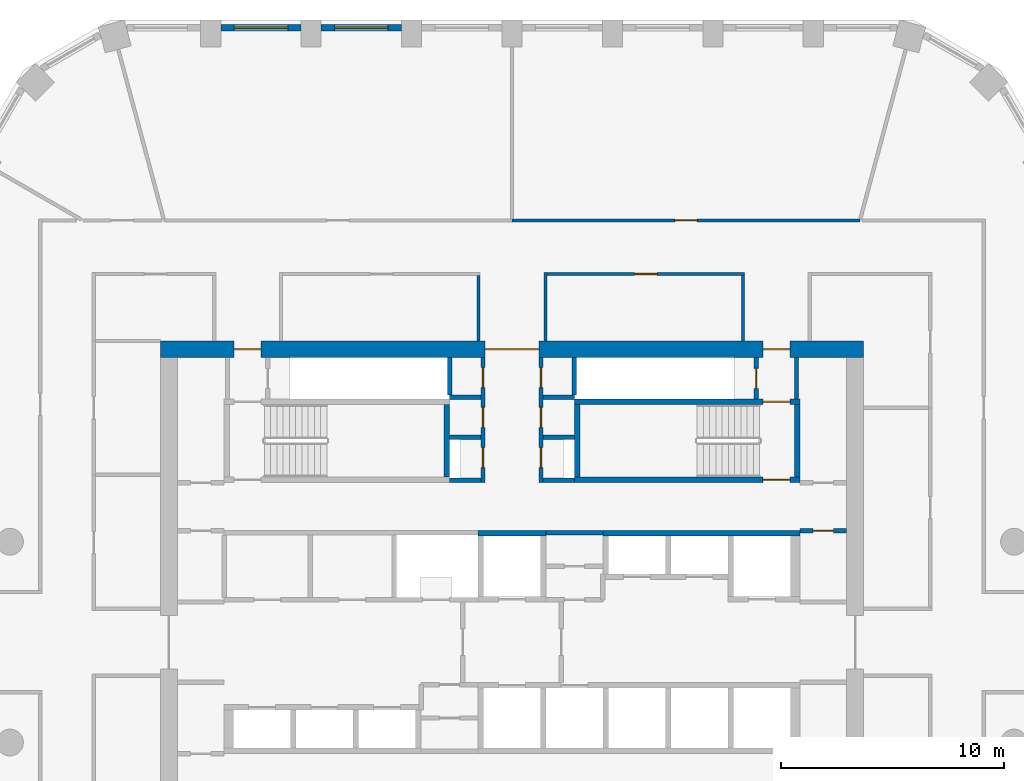
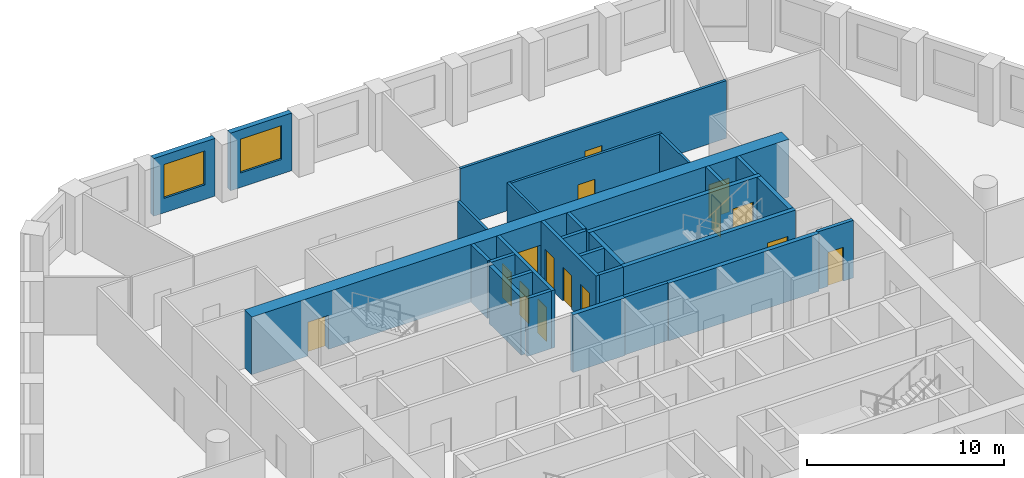
# One storey, part 7 of 10: 29 walls, 15 doors, 2 windows, 17 openings.
"""IFC4 building model written with IfcOpenShell, lengths in metres."""

from ifc_helpers import new_model, si_unit, direction, frame, frame_2d, origin, place, context, subcontext, project, spatial, polyline, rectangle, outline, extrude, material, layer, layer_set, type_object, element, fill, save


model = new_model("IFC4")

# Units and contexts
model_context = context("Model", 3, precision=1e-05, world=origin(), true_north=direction((0.0, 1.0)))
body_context = subcontext(model_context, "Body", "Model", "MODEL_VIEW")
ifc_project = project(units=[si_unit("LENGTHUNIT", "METRE"), si_unit("AREAUNIT", "SQUARE_METRE"), si_unit("VOLUMEUNIT", "CUBIC_METRE"), si_unit("PLANEANGLEUNIT", "RADIAN"), si_unit("MASSUNIT", "GRAM", prefix="KILO")], contexts=[model_context])

# Site, building, storey
site_placement = place(None, origin())
site = spatial("IfcSite", under=ifc_project, at=site_placement, CompositionType="ELEMENT")
building_placement = place(site_placement, origin())
building = spatial("IfcBuilding", under=site, at=building_placement, Name="Dhurran Vertical Campus", CompositionType="ELEMENT")
storey_placement = place(building_placement, frame((0.0, 0.0, 148.199951171875)))
storey = spatial("IfcBuildingStorey", under=building, at=storey_placement, Name="L36", CompositionType="ELEMENT", Elevation=148.199951171875)

# Wall, opening, window
ifc_material_1 = material(Name="Precast concrete C50/60", Category="concrete")
ifc_layer_1 = layer(ifc_material_1, 0.300048828125)
ifc_layer_set_1 = layer_set([ifc_layer_1], Name="Precast concrete C50/60")
wall_type_1 = type_object("IfcWallType", Name="Precast spandrel wall 300", PredefinedType="SOLIDWALL", material=ifc_layer_set_1)
wall_1_placement = place(storey_placement, frame((-4.950439453125, 27.53271484375, 0.0), z_axis=(0.0, 0.0, 1.0), x_axis=(-1.0, 0.0, 0.0)))
wall_1 = element("IfcWall", 1, at=wall_1_placement, inside=storey, type_object=wall_type_1, Name="EW1 L36.28", PredefinedType="SOLIDWALL", context=body_context, shape_type="SweptSolid", body=[
    extrude(rectangle(XDim=3.59912109375, YDim=0.300048828125, at=frame_2d((1.799560546875, 0.0))), origin(), (0.0, 0.0, 1.0), 3.574951171875),
])
opening_1_placement = place(wall_1_placement, frame((0.599609375, 0.0, 0.89990234375)))
opening_1 = element("IfcOpeningElement", 2, at=opening_1_placement, cuts=wall_1, Name="Opening WT1", PredefinedType="OPENING", context=body_context, shape_type="SweptSolid", body=[
    extrude(rectangle(XDim=2.39990234375, YDim=2.10009765625, at=frame_2d((1.199951171875, 1.050048828125))), frame((0.0, 0.159912109375, 0.0), z_axis=(0.0, -1.0, 0.0), x_axis=(1.0, 0.0, 0.0)), (0.0, 0.0, 1.0), 0.320068359375),
])
ifc_material_2 = material(Name="Aluminium frame with solar-control glass", Category="aluminium")
window_type = type_object("IfcWindowType", Name="Punched window 2400 x 2100", PartitioningType="SINGLE_PANEL", PredefinedType="WINDOW", material=ifc_material_2)
window_1_placement = place(opening_1_placement, origin())
window_1 = element("IfcWindow", 3, at=window_1_placement, inside=storey, type_object=window_type, Name="WT1 L36.28", OverallHeight=2.10009765625, OverallWidth=2.39990234375, PartitioningType="SINGLE_PANEL", PredefinedType="WINDOW", context=body_context, shape_type="SweptSolid", body=[
    extrude(rectangle(XDim=2.39990234375, YDim=2.10009765625, at=frame_2d((1.199951171875, 1.050048828125))), frame((0.0, 0.030029296875, 0.0), z_axis=(0.0, -1.0, 0.0), x_axis=(1.0, 0.0, 0.0)), (0.0, 0.0, 1.0), 0.06005859375),
])
fill(opening_1, window_1)

wall_2_placement = place(storey_placement, frame((-9.450439453125, 27.53271484375, 0.0), z_axis=(0.0, 0.0, 1.0), x_axis=(-1.0, 0.0, 0.0)))
wall_2 = element("IfcWall", 4, at=wall_2_placement, inside=storey, type_object=wall_type_1, Name="EW1 L36.29", PredefinedType="SOLIDWALL", context=body_context, shape_type="SweptSolid", body=[
    extrude(rectangle(XDim=3.59912109375, YDim=0.300048828125, at=frame_2d((1.799560546875, 0.0))), origin(), (0.0, 0.0, 1.0), 3.574951171875),
])
opening_2_placement = place(wall_2_placement, frame((0.599609375, 0.0, 0.89990234375)))
opening_2 = element("IfcOpeningElement", 5, at=opening_2_placement, cuts=wall_2, Name="Opening WT1", PredefinedType="OPENING", context=body_context, shape_type="SweptSolid", body=[
    extrude(rectangle(XDim=2.39990234375, YDim=2.10009765625, at=frame_2d((1.199951171875, 1.050048828125))), frame((0.0, 0.159912109375, 0.0), z_axis=(0.0, -1.0, 0.0), x_axis=(1.0, 0.0, 0.0)), (0.0, 0.0, 1.0), 0.320068359375),
])
window_2_placement = place(opening_2_placement, origin())
window_2 = element("IfcWindow", 6, at=window_2_placement, inside=storey, type_object=window_type, Name="WT1 L36.29", OverallHeight=2.10009765625, OverallWidth=2.39990234375, PartitioningType="SINGLE_PANEL", PredefinedType="WINDOW", context=body_context, shape_type="SweptSolid", body=[
    extrude(rectangle(XDim=2.39990234375, YDim=2.10009765625, at=frame_2d((1.199951171875, 1.050048828125))), frame((0.0, 0.030029296875, 0.0), z_axis=(0.0, -1.0, 0.0), x_axis=(1.0, 0.0, 0.0)), (0.0, 0.0, 1.0), 0.06005859375),
])
fill(opening_2, window_2)

# Wall, openings, doors
ifc_material_3 = material(Name="Concrete C60/75", Category="concrete")
ifc_layer_2 = layer(ifc_material_3, 0.75)
ifc_layer_set_2 = layer_set([ifc_layer_2], Name="Concrete C60/75")
wall_type_2 = type_object("IfcWallType", Name="co-CORE-WALL-C1-750", PredefinedType="SHEAR", material=ifc_layer_set_2)
wall_3_placement = place(storey_placement, frame((-15.75, 13.125, 0.0), z_axis=(0.0, 0.0, 1.0), x_axis=(1.0, 0.0, 0.0)))
wall_3 = element("IfcWall", 7, at=wall_3_placement, inside=storey, type_object=wall_type_2, Name="Core wall N L36", PredefinedType="SHEAR", context=body_context, shape_type="SweptSolid", body=[
    extrude(rectangle(XDim=31.5, YDim=0.75, at=frame_2d((15.75, 0.0))), origin(), (0.0, 0.0, 1.0), 3.574951171875),
])
opening_3_placement = place(wall_3_placement, frame((14.550048828125, 0.0, 0.0)))
opening_3 = element("IfcOpeningElement", 8, at=opening_3_placement, cuts=wall_3, Name="Opening CV1", PredefinedType="OPENING", context=body_context, shape_type="SweptSolid", body=[
    extrude(rectangle(XDim=2.39990234375, YDim=2.10009765625, at=frame_2d((1.199951171875, 1.050048828125))), frame((0.0, 0.385009765625, 0.0), z_axis=(0.0, -1.0, 0.0), x_axis=(1.0, 0.0, 0.0)), (0.0, 0.0, 1.0), 0.77001953125),
])
opening_4_placement = place(wall_3_placement, frame((3.300048828125, 0.0, 0.0)))
opening_4 = element("IfcOpeningElement", 9, at=opening_4_placement, cuts=wall_3, Name="Opening XD1", PredefinedType="OPENING", context=body_context, shape_type="SweptSolid", body=[
    extrude(rectangle(XDim=1.199951171875, YDim=2.10009765625, at=frame_2d((0.60009765625, 1.050048828125))), frame((0.0, 0.385009765625, 0.0), z_axis=(0.0, -1.0, 0.0), x_axis=(1.0, 0.0, 0.0)), (0.0, 0.0, 1.0), 0.77001953125),
])
opening_5_placement = place(wall_3_placement, frame((27.0, 0.0, 0.0)))
opening_5 = element("IfcOpeningElement", 10, at=opening_5_placement, cuts=wall_3, Name="Opening XD2", PredefinedType="OPENING", context=body_context, shape_type="SweptSolid", body=[
    extrude(rectangle(XDim=1.199951171875, YDim=2.10009765625, at=frame_2d((0.60009765625, 1.050048828125))), frame((0.0, 0.385009765625, 0.0), z_axis=(0.0, -1.0, 0.0), x_axis=(1.0, 0.0, 0.0)), (0.0, 0.0, 1.0), 0.77001953125),
])
ifc_material_4 = material(Name="Fire-rated glazed door set")
door_type_1 = type_object("IfcDoorType", Name="co-D-LOBBY 2400x2100", OperationType="DOUBLE_DOOR_DOUBLE_SWING", PredefinedType="DOOR", material=ifc_material_4)
door_1_placement = place(opening_3_placement, origin())
door_1 = element("IfcDoor", 11, at=door_1_placement, inside=storey, type_object=door_type_1, Name="Core vestibule door N L36", OperationType="DOUBLE_DOOR_DOUBLE_SWING", OverallHeight=2.10009765625, OverallWidth=2.39990234375, PredefinedType="DOOR", context=body_context, shape_type="SweptSolid", body=[
    extrude(rectangle(XDim=2.39990234375, YDim=2.10009765625, at=frame_2d((1.199951171875, 1.050048828125))), frame((0.0, 0.02490234375, 0.0), z_axis=(0.0, -1.0, 0.0), x_axis=(1.0, 0.0, 0.0)), (0.0, 0.0, 1.0), 0.050048828125),
])
fill(opening_3, door_1)
ifc_material_5 = material(Name="Fire-rated steel door set", Category="steel")
door_type_2 = type_object("IfcDoorType", Name="co-D-STAIR-EXIT 1200x2100", OperationType="SINGLE_SWING_RIGHT", PredefinedType="DOOR", material=ifc_material_5)
door_2_placement = place(opening_4_placement, origin())
door_2 = element("IfcDoor", 12, at=door_2_placement, inside=storey, type_object=door_type_2, Name="Stair ST1 exit door L36", OperationType="SINGLE_SWING_RIGHT", OverallHeight=2.10009765625, OverallWidth=1.199951171875, PredefinedType="DOOR", context=body_context, shape_type="SweptSolid", body=[
    extrude(rectangle(XDim=1.199951171875, YDim=2.10009765625, at=frame_2d((0.60009765625, 1.050048828125))), frame((0.0, 0.02490234375, 0.0), z_axis=(0.0, -1.0, 0.0), x_axis=(1.0, 0.0, 0.0)), (0.0, 0.0, 1.0), 0.050048828125),
])
fill(opening_4, door_2)
door_3_placement = place(opening_5_placement, origin())
door_3 = element("IfcDoor", 13, at=door_3_placement, inside=storey, type_object=door_type_2, Name="Stair ST2 exit door L36", OperationType="SINGLE_SWING_RIGHT", OverallHeight=2.10009765625, OverallWidth=1.199951171875, PredefinedType="DOOR", context=body_context, shape_type="SweptSolid", body=[
    extrude(rectangle(XDim=1.199951171875, YDim=2.10009765625, at=frame_2d((0.60009765625, 1.050048828125))), frame((0.0, 0.02490234375, 0.0), z_axis=(0.0, -1.0, 0.0), x_axis=(1.0, 0.0, 0.0)), (0.0, 0.0, 1.0), 0.050048828125),
])
fill(opening_5, door_3)

# Walls
ifc_material_6 = material(Name="Fire-rated masonry blockwork", Category="masonry")
ifc_layer_3 = layer(ifc_material_6, 0.199951171875)
ifc_layer_set_3 = layer_set([ifc_layer_3], Name="Fire-rated masonry blockwork")
wall_type_3 = type_object("IfcWallType", Name="co-FIRE-PARTITION-200", PredefinedType="PARTITIONING", material=ifc_layer_set_3)
for number, where, z_axis, x_axis, name in (
    (14, (-2.800048828125, 7.25, 0.0), (0.0, 0.0, 1.0), (1.0, 0.0, 0.0), "Core partition sl-NW-S L36"),
    (15, (-2.800048828125, 9.18603515625, 0.0), (0.0, 0.0, 1.0), (1.0, 0.0, 0.0), "Core partition sl-NW-cut0 L36"),
    (16, (-2.800048828125, 10.968017578125, 0.0), (0.0, 0.0, 1.0), (1.0, 0.0, 0.0), "Core partition sl-NW-cut1 L36"),
    (17, (1.39990234375, 7.25, 0.0), (0.0, 0.0, 1.0), (1.0, 0.0, 0.0), "Core partition sl-NE-S L36"),
    (18, (1.39990234375, 9.18603515625, 0.0), (0.0, 0.0, 1.0), (1.0, 0.0, 0.0), "Core partition sl-NE-cut0 L36"),
    (19, (1.39990234375, 10.968017578125, 0.0), (0.0, 0.0, 1.0), (1.0, 0.0, 0.0), "Core partition sl-NE-cut1 L36"),
):
    element("IfcWall", number, at=place(storey_placement, frame(where, z_axis=z_axis, x_axis=x_axis)), inside=storey, type_object=wall_type_3, Name=name, PredefinedType="PARTITIONING", context=body_context, shape_type="SweptSolid", body=[
        extrude(rectangle(XDim=1.400146484375, YDim=0.199951171875, at=frame_2d((0.7001953125, 0.0))), origin(), (0.0, 0.0, 1.0), 3.574951171875),
    ])

# Wall, openings, doors
wall_4_placement = place(storey_placement, frame((-1.300048828125, 7.14990234375, 0.0), z_axis=(0.0, 0.0, 1.0), x_axis=(0.0, 1.0, 0.0)))
wall_4 = element("IfcWall", 20, at=wall_4_placement, inside=storey, type_object=wall_type_3, Name="Core partition vest-NW L36", PredefinedType="PARTITIONING", context=body_context, shape_type="SweptSolid", body=[
    extrude(rectangle(XDim=5.60009765625, YDim=0.199951171875, at=frame_2d((2.800048828125, 0.0))), origin(), (0.0, 0.0, 1.0), 3.574951171875),
])
opening_6_placement = place(wall_4_placement, frame((0.66796875, 0.0, 0.0)))
opening_6 = element("IfcOpeningElement", 21, at=opening_6_placement, cuts=wall_4, Name="Opening T10-C5", PredefinedType="OPENING", context=body_context, shape_type="SweptSolid", body=[
    extrude(rectangle(XDim=0.89990234375, YDim=2.10009765625, at=frame_2d((0.449951171875, 1.050048828125))), frame((0.0, 0.10986328125, 0.0), z_axis=(0.0, -1.0, 0.0), x_axis=(1.0, 0.0, 0.0)), (0.0, 0.0, 1.0), 0.219970703125),
])
opening_7_placement = place(wall_4_placement, frame((2.47705078125, 0.0, 0.0)))
opening_7 = element("IfcOpeningElement", 22, at=opening_7_placement, cuts=wall_4, Name="Opening T10-C6", PredefinedType="OPENING", context=body_context, shape_type="SweptSolid", body=[
    extrude(rectangle(XDim=0.89990234375, YDim=2.10009765625, at=frame_2d((0.449951171875, 1.050048828125))), frame((0.0, 0.10986328125, 0.0), z_axis=(0.0, -1.0, 0.0), x_axis=(1.0, 0.0, 0.0)), (0.0, 0.0, 1.0), 0.219970703125),
])
opening_8_placement = place(wall_4_placement, frame((4.259033203125, 0.0, 0.0)))
opening_8 = element("IfcOpeningElement", 23, at=opening_8_placement, cuts=wall_4, Name="Opening T10-C7", PredefinedType="OPENING", context=body_context, shape_type="SweptSolid", body=[
    extrude(rectangle(XDim=0.89990234375, YDim=2.10009765625, at=frame_2d((0.449951171875, 1.050048828125))), frame((0.0, 0.10986328125, 0.0), z_axis=(0.0, -1.0, 0.0), x_axis=(1.0, 0.0, 0.0)), (0.0, 0.0, 1.0), 0.219970703125),
])
ifc_material_7 = material(Name="Fire-rated timber door set", Category="wood")
door_type_3 = type_object("IfcDoorType", Name="co-D-ROOM 900x2100", OperationType="SINGLE_SWING_LEFT", PredefinedType="DOOR", material=ifc_material_7)
door_4_placement = place(opening_6_placement, origin())
door_4 = element("IfcDoor", 24, at=door_4_placement, inside=storey, type_object=door_type_3, Name="Electrical riser door L36", OperationType="SINGLE_SWING_LEFT", OverallHeight=2.10009765625, OverallWidth=0.89990234375, PredefinedType="DOOR", context=body_context, shape_type="SweptSolid", body=[
    extrude(rectangle(XDim=0.89990234375, YDim=2.10009765625, at=frame_2d((0.449951171875, 1.050048828125))), frame((0.0, 0.02490234375, 0.0), z_axis=(0.0, -1.0, 0.0), x_axis=(1.0, 0.0, 0.0)), (0.0, 0.0, 1.0), 0.050048828125),
])
fill(opening_6, door_4)
door_5_placement = place(opening_7_placement, origin())
door_5 = element("IfcDoor", 25, at=door_5_placement, inside=storey, type_object=door_type_3, Name="Waste room door L36", OperationType="SINGLE_SWING_LEFT", OverallHeight=2.10009765625, OverallWidth=0.89990234375, PredefinedType="DOOR", context=body_context, shape_type="SweptSolid", body=[
    extrude(rectangle(XDim=0.89990234375, YDim=2.10009765625, at=frame_2d((0.449951171875, 1.050048828125))), frame((0.0, 0.02490234375, 0.0), z_axis=(0.0, -1.0, 0.0), x_axis=(1.0, 0.0, 0.0)), (0.0, 0.0, 1.0), 0.050048828125),
])
fill(opening_7, door_5)
door_6_placement = place(opening_8_placement, origin())
door_6 = element("IfcDoor", 26, at=door_6_placement, inside=storey, type_object=door_type_3, Name="Server room door L36", OperationType="SINGLE_SWING_LEFT", OverallHeight=2.10009765625, OverallWidth=0.89990234375, PredefinedType="DOOR", context=body_context, shape_type="SweptSolid", body=[
    extrude(rectangle(XDim=0.89990234375, YDim=2.10009765625, at=frame_2d((0.449951171875, 1.050048828125))), frame((0.0, 0.02490234375, 0.0), z_axis=(0.0, -1.0, 0.0), x_axis=(1.0, 0.0, 0.0)), (0.0, 0.0, 1.0), 0.050048828125),
])
fill(opening_8, door_6)

wall_5_placement = place(storey_placement, frame((1.300048828125, 7.14990234375, 0.0), z_axis=(0.0, 0.0, 1.0), x_axis=(0.0, 1.0, 0.0)))
wall_5 = element("IfcWall", 27, at=wall_5_placement, inside=storey, type_object=wall_type_3, Name="Core partition vest-NE L36", PredefinedType="PARTITIONING", context=body_context, shape_type="SweptSolid", body=[
    extrude(rectangle(XDim=5.60009765625, YDim=0.199951171875, at=frame_2d((2.800048828125, 0.0))), origin(), (0.0, 0.0, 1.0), 3.574951171875),
])
opening_9_placement = place(wall_5_placement, frame((0.66796875, 0.0, 0.0)))
opening_9 = element("IfcOpeningElement", 28, at=opening_9_placement, cuts=wall_5, Name="Opening T10-C8", PredefinedType="OPENING", context=body_context, shape_type="SweptSolid", body=[
    extrude(rectangle(XDim=0.89990234375, YDim=2.10009765625, at=frame_2d((0.449951171875, 1.050048828125))), frame((0.0, 0.10986328125, 0.0), z_axis=(0.0, -1.0, 0.0), x_axis=(1.0, 0.0, 0.0)), (0.0, 0.0, 1.0), 0.219970703125),
])
opening_10_placement = place(wall_5_placement, frame((2.47705078125, 0.0, 0.0)))
opening_10 = element("IfcOpeningElement", 29, at=opening_10_placement, cuts=wall_5, Name="Opening T10-C9", PredefinedType="OPENING", context=body_context, shape_type="SweptSolid", body=[
    extrude(rectangle(XDim=0.89990234375, YDim=2.10009765625, at=frame_2d((0.449951171875, 1.050048828125))), frame((0.0, 0.10986328125, 0.0), z_axis=(0.0, -1.0, 0.0), x_axis=(1.0, 0.0, 0.0)), (0.0, 0.0, 1.0), 0.219970703125),
])
opening_11_placement = place(wall_5_placement, frame((4.259033203125, 0.0, 0.0)))
opening_11 = element("IfcOpeningElement", 30, at=opening_11_placement, cuts=wall_5, Name="Opening T10-C10", PredefinedType="OPENING", context=body_context, shape_type="SweptSolid", body=[
    extrude(rectangle(XDim=0.89990234375, YDim=2.10009765625, at=frame_2d((0.449951171875, 1.050048828125))), frame((0.0, 0.10986328125, 0.0), z_axis=(0.0, -1.0, 0.0), x_axis=(1.0, 0.0, 0.0)), (0.0, 0.0, 1.0), 0.219970703125),
])
door_7_placement = place(opening_9_placement, origin())
door_7 = element("IfcDoor", 31, at=door_7_placement, inside=storey, type_object=door_type_3, Name="Water riser door L36", OperationType="SINGLE_SWING_LEFT", OverallHeight=2.10009765625, OverallWidth=0.89990234375, PredefinedType="DOOR", context=body_context, shape_type="SweptSolid", body=[
    extrude(rectangle(XDim=0.89990234375, YDim=2.10009765625, at=frame_2d((0.449951171875, 1.050048828125))), frame((0.0, 0.02490234375, 0.0), z_axis=(0.0, -1.0, 0.0), x_axis=(1.0, 0.0, 0.0)), (0.0, 0.0, 1.0), 0.050048828125),
])
fill(opening_9, door_7)
door_8_placement = place(opening_10_placement, origin())
door_8 = element("IfcDoor", 32, at=door_8_placement, inside=storey, type_object=door_type_3, Name="Fire equipment store door L36", OperationType="SINGLE_SWING_LEFT", OverallHeight=2.10009765625, OverallWidth=0.89990234375, PredefinedType="DOOR", context=body_context, shape_type="SweptSolid", body=[
    extrude(rectangle(XDim=0.89990234375, YDim=2.10009765625, at=frame_2d((0.449951171875, 1.050048828125))), frame((0.0, 0.02490234375, 0.0), z_axis=(0.0, -1.0, 0.0), x_axis=(1.0, 0.0, 0.0)), (0.0, 0.0, 1.0), 0.050048828125),
])
fill(opening_10, door_8)
door_9_placement = place(opening_11_placement, origin())
door_9 = element("IfcDoor", 33, at=door_9_placement, inside=storey, type_object=door_type_3, Name="Pantry door L36", OperationType="SINGLE_SWING_LEFT", OverallHeight=2.10009765625, OverallWidth=0.89990234375, PredefinedType="DOOR", context=body_context, shape_type="SweptSolid", body=[
    extrude(rectangle(XDim=0.89990234375, YDim=2.10009765625, at=frame_2d((0.449951171875, 1.050048828125))), frame((0.0, 0.02490234375, 0.0), z_axis=(0.0, -1.0, 0.0), x_axis=(1.0, 0.0, 0.0)), (0.0, 0.0, 1.0), 0.050048828125),
])
fill(opening_11, door_9)

# Wall
wall_6_placement = place(storey_placement, frame((12.75, 10.89990234375, 0.0), z_axis=(0.0, 0.0, 1.0), x_axis=(0.0, 1.0, 0.0)))
element("IfcWall", 34, at=wall_6_placement, inside=storey, type_object=wall_type_3, Name="Core partition pass-ST2-o L36", PredefinedType="PARTITIONING", context=body_context, shape_type="SweptSolid", body=[
    extrude(rectangle(XDim=1.85009765625, YDim=0.199951171875, at=frame_2d((0.925048828125, 0.0))), origin(), (0.0, 0.0, 1.0), 3.574951171875),
])

# Wall, opening, door
wall_7_placement = place(storey_placement, frame((10.949951171875, 10.89990234375, 0.0), z_axis=(0.0, 0.0, 1.0), x_axis=(0.0, 1.0, 0.0)))
wall_7 = element("IfcWall", 35, at=wall_7_placement, inside=storey, type_object=wall_type_3, Name="Core partition pass-ST2-i L36", PredefinedType="PARTITIONING", context=body_context, shape_type="SweptSolid", body=[
    extrude(rectangle(XDim=1.85009765625, YDim=0.199951171875, at=frame_2d((0.925048828125, 0.0))), origin(), (0.0, 0.0, 1.0), 3.574951171875),
])
opening_12_placement = place(wall_7_placement, frame((0.47509765625, 0.0, 0.0)))
opening_12 = element("IfcOpeningElement", 36, at=opening_12_placement, cuts=wall_7, Name="Opening T10-C12", PredefinedType="OPENING", context=body_context, shape_type="SweptSolid", body=[
    extrude(rectangle(XDim=0.89990234375, YDim=2.10009765625, at=frame_2d((0.449951171875, 1.050048828125))), frame((0.0, 0.10986328125, 0.0), z_axis=(0.0, -1.0, 0.0), x_axis=(1.0, 0.0, 0.0)), (0.0, 0.0, 1.0), 0.219970703125),
])
door_10_placement = place(opening_12_placement, origin())
door_10 = element("IfcDoor", 37, at=door_10_placement, inside=storey, type_object=door_type_3, Name="Riser room door L36", OperationType="SINGLE_SWING_LEFT", OverallHeight=2.10009765625, OverallWidth=0.89990234375, PredefinedType="DOOR", context=body_context, shape_type="SweptSolid", body=[
    extrude(rectangle(XDim=0.89990234375, YDim=2.10009765625, at=frame_2d((0.449951171875, 1.050048828125))), frame((0.0, 0.02490234375, 0.0), z_axis=(0.0, -1.0, 0.0), x_axis=(1.0, 0.0, 0.0)), (0.0, 0.0, 1.0), 0.050048828125),
])
fill(opening_12, door_10)

wall_8_placement = place(storey_placement, frame((12.89990234375, 5.0, 0.0), z_axis=(0.0, 0.0, 1.0), x_axis=(1.0, 0.0, 0.0)))
wall_8 = element("IfcWall", 38, at=wall_8_placement, inside=storey, type_object=wall_type_3, Name="Core partition es-NE-w L36", PredefinedType="PARTITIONING", context=body_context, shape_type="SweptSolid", body=[
    extrude(rectangle(XDim=2.10009765625, YDim=0.199951171875, at=frame_2d((1.050048828125, 0.0))), origin(), (0.0, 0.0, 1.0), 3.574951171875),
])
opening_13_placement = place(wall_8_placement, frame((0.60009765625, 0.0, 0.0)))
opening_13 = element("IfcOpeningElement", 39, at=opening_13_placement, cuts=wall_8, Name="Opening T10-C18", PredefinedType="OPENING", context=body_context, shape_type="SweptSolid", body=[
    extrude(rectangle(XDim=0.89990234375, YDim=2.10009765625, at=frame_2d((0.449951171875, 1.050048828125))), frame((0.0, 0.10986328125, 0.0), z_axis=(0.0, -1.0, 0.0), x_axis=(1.0, 0.0, 0.0)), (0.0, 0.0, 1.0), 0.219970703125),
])
door_11_placement = place(opening_13_placement, origin())
door_11 = element("IfcDoor", 40, at=door_11_placement, inside=storey, type_object=door_type_3, Name="Pantry door L36", OperationType="SINGLE_SWING_LEFT", OverallHeight=2.10009765625, OverallWidth=0.89990234375, PredefinedType="DOOR", context=body_context, shape_type="SweptSolid", body=[
    extrude(rectangle(XDim=0.89990234375, YDim=2.10009765625, at=frame_2d((0.449951171875, 1.050048828125))), frame((0.0, 0.02490234375, 0.0), z_axis=(0.0, -1.0, 0.0), x_axis=(1.0, 0.0, 0.0)), (0.0, 0.0, 1.0), 0.050048828125),
])
fill(opening_13, door_11)

# Walls
wall_9_placement = place(storey_placement, frame((1.52490234375, 4.89990234375, 0.0), z_axis=(0.0, 0.0, 1.0), x_axis=(1.0, 0.0, 0.0)))
element("IfcWall", 41, at=wall_9_placement, inside=storey, type_object=wall_type_3, Name="Core partition fr-N1-b L36", PredefinedType="PARTITIONING", context=body_context, shape_type="SweptSolid", body=[
    extrude(rectangle(XDim=2.550048828125, YDim=0.199951171875, at=frame_2d((1.27490234375, 0.0))), origin(), (0.0, 0.0, 1.0), 3.574951171875),
])
for number, where, z_axis, x_axis, name in (
    (42, (-2.800048828125, 11.069091796875, 0.0), (0.0, 0.0, 1.0), (0.0, 1.0, 0.0), "Riser enclosure wall L36"),
    (43, (2.800048828125, 12.7490234375, 0.0), (0.0, 0.0, 1.0), (0.0, -1.0, 0.0), "Riser enclosure wall L36"),
):
    element("IfcWall", number, at=place(storey_placement, frame(where, z_axis=z_axis, x_axis=x_axis)), inside=storey, type_object=wall_type_3, Name=name, PredefinedType="PARTITIONING", context=body_context, shape_type="SweptSolid", body=[
        extrude(rectangle(XDim=1.679931640625, YDim=0.199951171875, at=frame_2d((0.83984375, 0.0))), origin(), (0.0, 0.0, 1.0), 3.574951171875),
    ])
ifc_material_8 = material(Name="Concrete C50/60", Category="concrete")
ifc_layer_4 = layer(ifc_material_8, 0.25)
ifc_layer_set_4 = layer_set([ifc_layer_4], Name="Concrete C50/60")
wall_type_4 = type_object("IfcWallType", Name="co-SHAFT-MASS-250", PredefinedType="SHEAR", material=ifc_layer_set_4)
wall_10_placement = place(storey_placement, origin())
element("IfcWall", 44, at=wall_10_placement, inside=storey, type_object=wall_type_4, Name="Lift shaft wall N L36 1", PredefinedType="SHEAR", context=body_context, shape_type="SweptSolid", body=[
    extrude(outline(polyline([(-1.52490234375, 4.75), (1.52490234375, 4.75), (1.52490234375, 5.0), (-1.52490234375, 5.0), (-1.52490234375, 4.75)])), origin(), (0.0, 0.0, 1.0), 3.574951171875),
])
wall_11_placement = place(storey_placement, origin())
element("IfcWall", 45, at=wall_11_placement, inside=storey, type_object=wall_type_4, Name="Lift shaft wall N L36 2", PredefinedType="SHEAR", context=body_context, shape_type="SweptSolid", body=[
    extrude(outline(polyline([(4.074951171875, 4.75), (12.89990234375, 4.75), (12.89990234375, 5.0), (4.074951171875, 5.0), (4.074951171875, 4.75)])), origin(), (0.0, 0.0, 1.0), 3.574951171875),
])
ifc_material_9 = material(Name="Concrete C40/50", Category="concrete")
ifc_layer_5 = layer(ifc_material_9, 0.25)
ifc_layer_set_5 = layer_set([ifc_layer_5], Name="Concrete C40/50")
wall_type_5 = type_object("IfcWallType", Name="co-STAIR-WALL-250", PredefinedType="SHEAR", material=ifc_layer_set_5)
wall_12_placement = place(storey_placement, frame((-2.925048828125, 7.39990234375, 0.0), z_axis=(0.0, 0.0, 1.0), x_axis=(0.0, 1.0, 0.0)))
element("IfcWall", 46, at=wall_12_placement, inside=storey, type_object=wall_type_5, Name="Stair ST1 enclosure wall L36", PredefinedType="SHEAR", context=body_context, shape_type="SweptSolid", body=[
    extrude(rectangle(XDim=3.25, YDim=0.25, at=frame_2d((1.625, 0.0))), origin(), (0.0, 0.0, 1.0), 3.574951171875),
])

# Wall, opening, door
wall_13_placement = place(storey_placement, frame((2.800048828125, 7.27490234375, 0.0), z_axis=(0.0, 0.0, 1.0), x_axis=(1.0, 0.0, 0.0)))
wall_13 = element("IfcWall", 47, at=wall_13_placement, inside=storey, type_object=wall_type_5, Name="Stair ST2 enclosure wall L36", PredefinedType="SHEAR", context=body_context, shape_type="SweptSolid", body=[
    extrude(rectangle(XDim=10.099853515625, YDim=0.25, at=frame_2d((5.0498046875, 0.0))), origin(), (0.0, 0.0, 1.0), 3.574951171875),
])
opening_14_placement = place(wall_13_placement, frame((8.449951171875, 0.0, 0.0)))
opening_14 = element("IfcOpeningElement", 48, at=opening_14_placement, cuts=wall_13, Name="Opening SD2", PredefinedType="OPENING", context=body_context, shape_type="SweptSolid", body=[
    extrude(rectangle(XDim=1.199951171875, YDim=2.10009765625, at=frame_2d((0.60009765625, 1.050048828125))), frame((0.0, 0.135009765625, 0.0), z_axis=(0.0, -1.0, 0.0), x_axis=(1.0, 0.0, 0.0)), (0.0, 0.0, 1.0), 0.27001953125),
])
ifc_material_10 = material(Name="Fire-rated steel door set", Category="steel")
door_type_4 = type_object("IfcDoorType", Name="co-D-STAIR 1200x2100", OperationType="SINGLE_SWING_LEFT", PredefinedType="DOOR", material=ifc_material_10)
door_12_placement = place(opening_14_placement, origin())
door_12 = element("IfcDoor", 49, at=door_12_placement, inside=storey, type_object=door_type_4, Name="Stair ST2 door L36", OperationType="SINGLE_SWING_LEFT", OverallHeight=2.10009765625, OverallWidth=1.199951171875, PredefinedType="DOOR", context=body_context, shape_type="SweptSolid", body=[
    extrude(rectangle(XDim=1.199951171875, YDim=2.10009765625, at=frame_2d((0.60009765625, 1.050048828125))), frame((0.0, 0.02490234375, 0.0), z_axis=(0.0, -1.0, 0.0), x_axis=(1.0, 0.0, 0.0)), (0.0, 0.0, 1.0), 0.050048828125),
])
fill(opening_14, door_12)

wall_14_placement = place(storey_placement, frame((2.800048828125, 10.77490234375, 0.0), z_axis=(0.0, 0.0, 1.0), x_axis=(1.0, 0.0, 0.0)))
wall_14 = element("IfcWall", 50, at=wall_14_placement, inside=storey, type_object=wall_type_5, Name="Stair ST2 enclosure wall L36", PredefinedType="SHEAR", context=body_context, shape_type="SweptSolid", body=[
    extrude(rectangle(XDim=10.099853515625, YDim=0.25, at=frame_2d((5.0498046875, 0.0))), origin(), (0.0, 0.0, 1.0), 3.574951171875),
])
opening_15_placement = place(wall_14_placement, frame((8.449951171875, 0.0, 0.0)))
opening_15 = element("IfcOpeningElement", 51, at=opening_15_placement, cuts=wall_14, Name="Opening XS2", PredefinedType="OPENING", context=body_context, shape_type="SweptSolid", body=[
    extrude(rectangle(XDim=1.199951171875, YDim=2.10009765625, at=frame_2d((0.60009765625, 1.050048828125))), frame((0.0, 0.135009765625, 0.0), z_axis=(0.0, -1.0, 0.0), x_axis=(1.0, 0.0, 0.0)), (0.0, 0.0, 1.0), 0.27001953125),
])
door_13_placement = place(opening_15_placement, origin())
door_13 = element("IfcDoor", 52, at=door_13_placement, inside=storey, type_object=door_type_2, Name="Stair ST2 discharge door L36", OperationType="SINGLE_SWING_RIGHT", OverallHeight=2.10009765625, OverallWidth=1.199951171875, PredefinedType="DOOR", context=body_context, shape_type="SweptSolid", body=[
    extrude(rectangle(XDim=1.199951171875, YDim=2.10009765625, at=frame_2d((0.60009765625, 1.050048828125))), frame((0.0, 0.02490234375, 0.0), z_axis=(0.0, -1.0, 0.0), x_axis=(1.0, 0.0, 0.0)), (0.0, 0.0, 1.0), 0.050048828125),
])
fill(opening_15, door_13)

# Walls
for number, where, z_axis, x_axis, name in (
    (53, (2.925048828125, 7.39990234375, 0.0), (0.0, 0.0, 1.0), (0.0, 1.0, 0.0), "Stair ST2 enclosure wall L36"),
    (54, (12.77490234375, 7.39990234375, 0.0), (0.0, 0.0, 1.0), (0.0, 1.0, 0.0), "Stair ST2 enclosure wall L36"),
):
    element("IfcWall", number, at=place(storey_placement, frame(where, z_axis=z_axis, x_axis=x_axis)), inside=storey, type_object=wall_type_5, Name=name, PredefinedType="SHEAR", context=body_context, shape_type="SweptSolid", body=[
        extrude(rectangle(XDim=3.25, YDim=0.25, at=frame_2d((1.625, 0.0))), origin(), (0.0, 0.0, 1.0), 3.574951171875),
    ])
ifc_material_11 = material(Name="Gypsum board corridor wall on steel studs", Category="steel")
ifc_layer_6 = layer(ifc_material_11, 0.14990234375)
ifc_layer_set_6 = layer_set([ifc_layer_6], Name="Gypsum board corridor wall on steel studs")
wall_type_6 = type_object("IfcWallType", Name="fl-CW-150 corridor wall", PredefinedType="PARTITIONING", material=ifc_layer_set_6)
wall_15_placement = place(storey_placement, frame((-1.5, 16.425048828125, 0.0), z_axis=(0.0, 0.0, 1.0), x_axis=(0.0, -1.0, 0.0)))
element("IfcWall", 55, at=wall_15_placement, inside=storey, type_object=wall_type_6, Name="Partition 36-34", PredefinedType="PARTITIONING", context=body_context, shape_type="SweptSolid", body=[
    extrude(rectangle(XDim=2.925048828125, YDim=0.14990234375, at=frame_2d((1.46240234375, 0.0))), origin(), (0.0, 0.0, 1.0), 3.574951171875),
])

# Wall, opening, door
wall_16_placement = place(storey_placement, frame((15.593017578125, 18.89990234375, 0.0), z_axis=(0.0, 0.0, 1.0), x_axis=(-1.0, 0.0, 0.0)))
wall_16 = element("IfcWall", 56, at=wall_16_placement, inside=storey, type_object=wall_type_6, Name="Partition 36-36", PredefinedType="PARTITIONING", context=body_context, shape_type="SweptSolid", body=[
    extrude(rectangle(XDim=15.593017578125, YDim=0.14990234375, at=frame_2d((7.79638671875, 0.0))), origin(), (0.0, 0.0, 1.0), 3.574951171875),
])
opening_16_placement = place(wall_16_placement, frame((7.29638671875, 0.0, 0.0)))
opening_16 = element("IfcOpeningElement", 57, at=opening_16_placement, cuts=wall_16, Name="Opening T10.16", PredefinedType="OPENING", context=body_context, shape_type="SweptSolid", body=[
    extrude(rectangle(XDim=1.0, YDim=2.10009765625, at=frame_2d((0.5, 1.050048828125))), frame((0.0, 0.0849609375, 0.0), z_axis=(0.0, -1.0, 0.0), x_axis=(1.0, 0.0, 0.0)), (0.0, 0.0, 1.0), 0.169921875),
])
ifc_material_12 = material(Name="Solid-core timber door set, fire-rated", Category="wood")
door_type_5 = type_object("IfcDoorType", Name="fl-D-1000x2100", OperationType="SINGLE_SWING_LEFT", PredefinedType="DOOR", material=ifc_material_12)
door_14_placement = place(opening_16_placement, origin())
door_14 = element("IfcDoor", 58, at=door_14_placement, inside=storey, type_object=door_type_5, Name="Door 36.16", OperationType="SINGLE_SWING_RIGHT", OverallHeight=2.10009765625, OverallWidth=1.0, PredefinedType="DOOR", context=body_context, shape_type="SweptSolid", body=[
    extrude(rectangle(XDim=1.0, YDim=2.10009765625, at=frame_2d((0.5, 1.050048828125))), frame((0.0, 0.02490234375, 0.0), z_axis=(0.0, -1.0, 0.0), x_axis=(1.0, 0.0, 0.0)), (0.0, 0.0, 1.0), 0.050048828125),
])
fill(opening_16, door_14)

# Wall
wall_17_placement = place(storey_placement, frame((1.5, 13.5, 0.0), z_axis=(0.0, 0.0, 1.0), x_axis=(0.0, 1.0, 0.0)))
element("IfcWall", 59, at=wall_17_placement, inside=storey, type_object=wall_type_6, Name="Partition 36-39", PredefinedType="PARTITIONING", context=body_context, shape_type="SweptSolid", body=[
    extrude(rectangle(XDim=3.074951171875, YDim=0.14990234375, at=frame_2d((1.53759765625, 0.0))), origin(), (0.0, 0.0, 1.0), 3.574951171875),
])

# Wall, opening, door
wall_18_placement = place(storey_placement, frame((1.574951171875, 16.5, 0.0), z_axis=(0.0, 0.0, 1.0), x_axis=(1.0, 0.0, 0.0)))
wall_18 = element("IfcWall", 60, at=wall_18_placement, inside=storey, type_object=wall_type_6, Name="Partition 36-40", PredefinedType="PARTITIONING", context=body_context, shape_type="SweptSolid", body=[
    extrude(rectangle(XDim=8.85009765625, YDim=0.14990234375, at=frame_2d((4.425048828125, 0.0))), origin(), (0.0, 0.0, 1.0), 3.574951171875),
])
opening_17_placement = place(wall_18_placement, frame((3.925048828125, 0.0, 0.0)))
opening_17 = element("IfcOpeningElement", 61, at=opening_17_placement, cuts=wall_18, Name="Opening T10.15", PredefinedType="OPENING", context=body_context, shape_type="SweptSolid", body=[
    extrude(rectangle(XDim=1.0, YDim=2.10009765625, at=frame_2d((0.5, 1.050048828125))), frame((0.0, 0.0849609375, 0.0), z_axis=(0.0, -1.0, 0.0), x_axis=(1.0, 0.0, 0.0)), (0.0, 0.0, 1.0), 0.169921875),
])
door_15_placement = place(opening_17_placement, origin())
door_15 = element("IfcDoor", 62, at=door_15_placement, inside=storey, type_object=door_type_5, Name="Door 36.15", OperationType="SINGLE_SWING_LEFT", OverallHeight=2.10009765625, OverallWidth=1.0, PredefinedType="DOOR", context=body_context, shape_type="SweptSolid", body=[
    extrude(rectangle(XDim=1.0, YDim=2.10009765625, at=frame_2d((0.5, 1.050048828125))), frame((0.0, 0.02490234375, 0.0), z_axis=(0.0, -1.0, 0.0), x_axis=(1.0, 0.0, 0.0)), (0.0, 0.0, 1.0), 0.050048828125),
])
fill(opening_17, door_15)

# Wall
wall_19_placement = place(storey_placement, frame((10.35009765625, 16.425048828125, 0.0), z_axis=(0.0, 0.0, 1.0), x_axis=(0.0, -1.0, 0.0)))
element("IfcWall", 63, at=wall_19_placement, inside=storey, type_object=wall_type_6, Name="Partition 36-44", PredefinedType="PARTITIONING", context=body_context, shape_type="SweptSolid", body=[
    extrude(rectangle(XDim=2.925048828125, YDim=0.14990234375, at=frame_2d((1.46240234375, 0.0))), origin(), (0.0, 0.0, 1.0), 3.574951171875),
])

save(model, "model.ifc")
